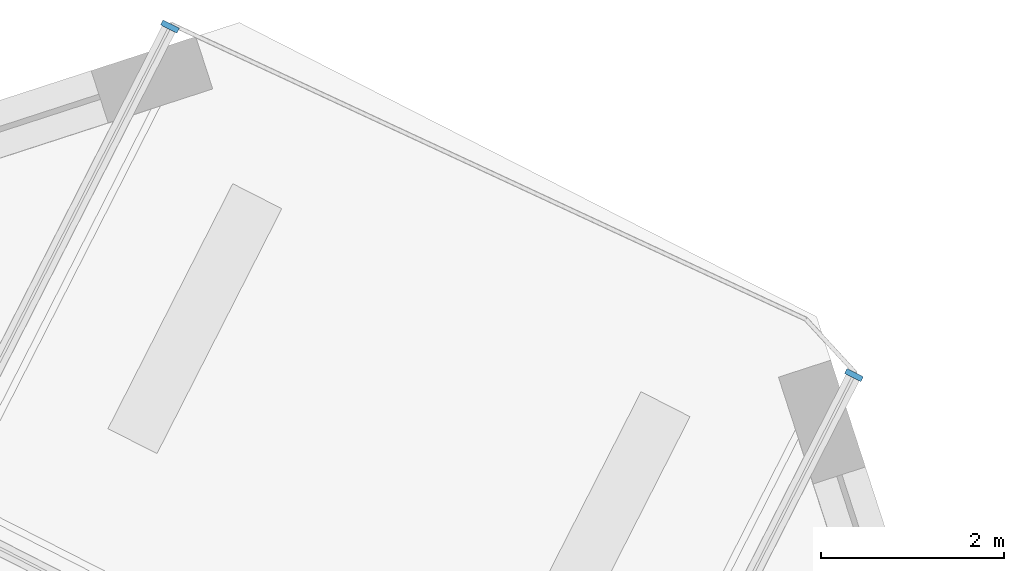
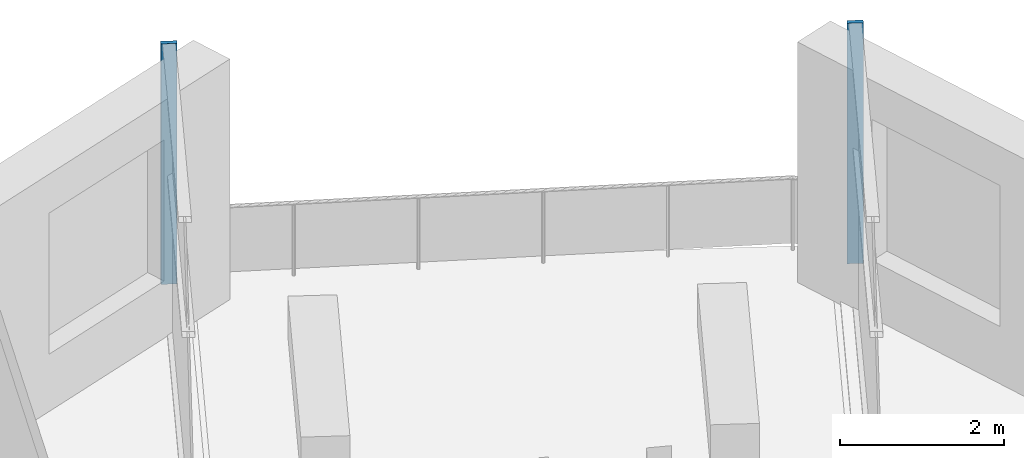
# One storey, part 4 of 12: 2 members, 2 elements without a shape of their own.
"""IFC4 building model written with IfcOpenShell, lengths in metres."""

from ifc_helpers import new_model, si_unit, direction, frame, origin, origin_2d, place, context, subcontext, project, spatial, rectangle, extrude, material, material_profile, profile_set, type_object, element, aggregate, save


model = new_model("IFC4")

# Units and contexts
model_context = context("Model", 3, precision=1e-05, world=origin(), true_north=direction((0.0, 1.0)))
body_context = subcontext(model_context, "Body", "Model", "MODEL_VIEW")
ifc_project = project(units=[si_unit("LENGTHUNIT", "METRE"), si_unit("AREAUNIT", "SQUARE_METRE"), si_unit("VOLUMEUNIT", "CUBIC_METRE"), si_unit("PLANEANGLEUNIT", "RADIAN"), si_unit("MASSUNIT", "GRAM", prefix="KILO")], contexts=[model_context])

# Site, building, storey
site_placement = place(None, origin())
site = spatial("IfcSite", under=ifc_project, at=site_placement, CompositionType="ELEMENT")
building_placement = place(site_placement, origin())
building = spatial("IfcBuilding", under=site, at=building_placement, Name="Dilmun Exchange Tower", CompositionType="ELEMENT")
storey_placement = place(building_placement, frame((0.0, 0.0, 98.10009765625)))
storey = spatial("IfcBuildingStorey", under=building, at=storey_placement, Name="L22", CompositionType="ELEMENT", Elevation=98.10009765625)

# Curtain wall, member
ifc_material_1 = material(Name="Anodised aluminium and clear glass", Category="aluminium")
curtain_wall_type = type_object("IfcCurtainWallType", Name="Garden corner glazing", PredefinedType="NOTDEFINED", material=ifc_material_1)
curtain_wall_1_placement = place(storey_placement, origin())
curtain_wall_1 = element("IfcCurtainWall", 1, at=curtain_wall_1_placement, inside=storey, type_object=curtain_wall_type, Name="Garden corner glazing run GC1.1", PredefinedType="NOTDEFINED")
ifc_material_2 = material(Name="Anodised aluminium", Category="aluminium")
ifc_material_profile = material_profile(ifc_material_2, rectangle(XDim=0.199951171875, YDim=0.06005859375, at=origin_2d()), Name="AL 60x200")
ifc_profile_set = profile_set([ifc_material_profile], Name="Anodised aluminium")
member_type = type_object("IfcMemberType", Name="Garden corner glazing mullion 60 x 200", PredefinedType="MULLION", material=ifc_profile_set)
member_1_placement = place(storey_placement, frame((21.83251953125, 30.50634765625, 0.0), z_axis=(0.0, 0.0, 1.0), x_axis=(0.891007485315, -0.453988613418, 0.0)))
member_1 = element("IfcMember", 2, at=member_1_placement, type_object=member_type, Name="GC1.1 mullion 1", PredefinedType="MULLION", context=body_context, shape_type="SweptSolid", body=[
    extrude(rectangle(XDim=0.199951171875, YDim=0.06005859375, at=origin_2d()), origin(), (0.0, 0.0, 1.0), 3.579833984375),
])
aggregate(curtain_wall_1, [member_1])

curtain_wall_2_placement = place(storey_placement, origin())
curtain_wall_2 = element("IfcCurtainWall", 3, at=curtain_wall_2_placement, inside=storey, type_object=curtain_wall_type, Name="Garden corner glazing run GC3.1", PredefinedType="NOTDEFINED")
member_2_placement = place(storey_placement, frame((14.367431640625, 34.31005859375, 0.0), z_axis=(0.0, 0.0, 1.0), x_axis=(-0.891007485315, 0.453988613418, 0.0)))
member_2 = element("IfcMember", 4, at=member_2_placement, type_object=member_type, Name="GC3.1 mullion 2", PredefinedType="MULLION", context=body_context, shape_type="SweptSolid", body=[
    extrude(rectangle(XDim=0.199951171875, YDim=0.06005859375, at=origin_2d()), origin(), (0.0, 0.0, 1.0), 3.579833984375),
])
aggregate(curtain_wall_2, [member_2])

save(model, "model.ifc")
